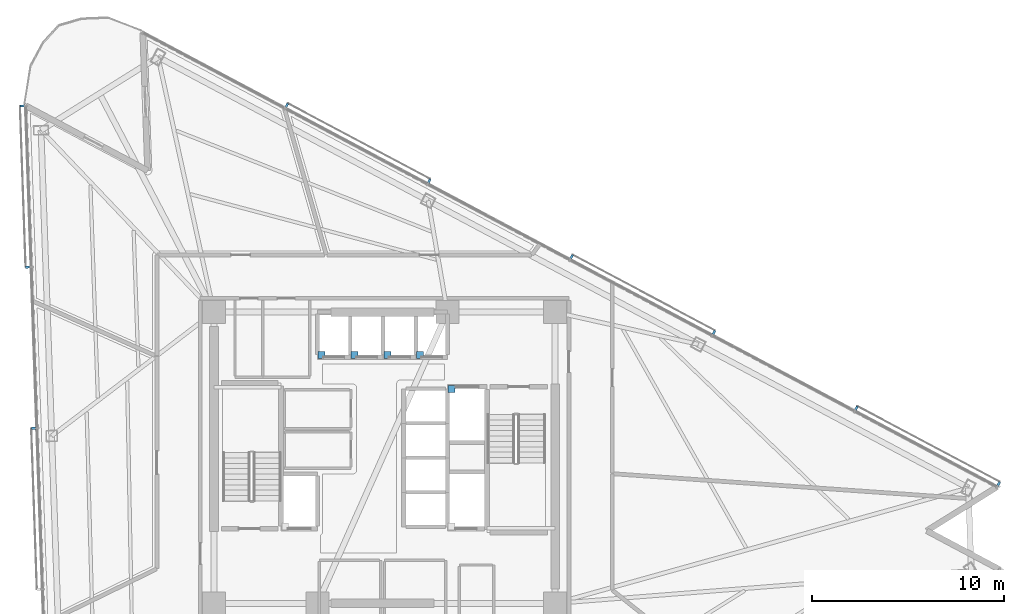
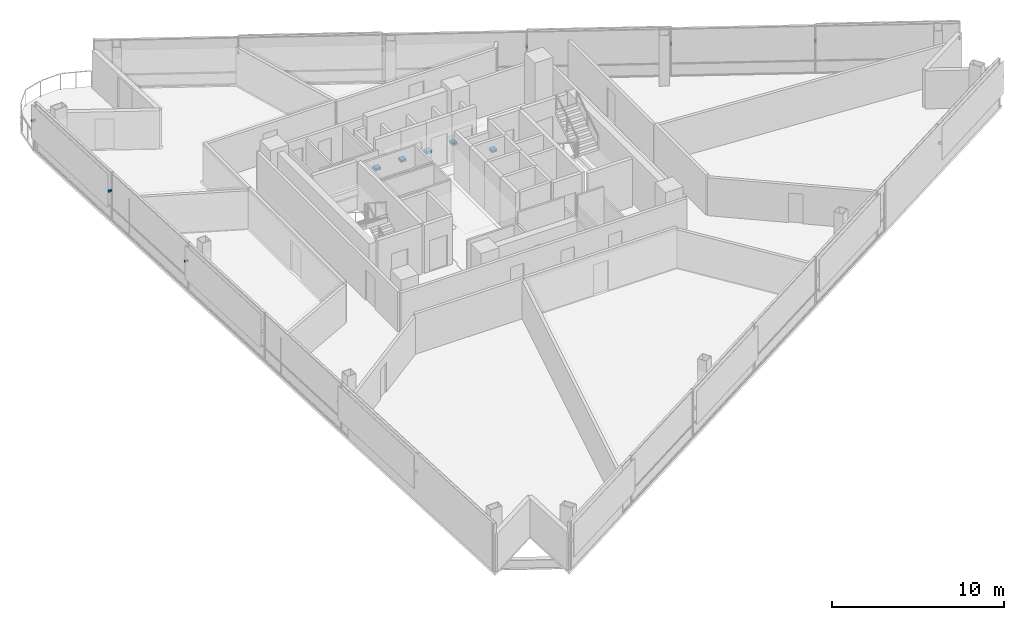
# One storey, part 16 of 21: 14 discrete accessories.
"""IFC4 building model written with IfcOpenShell, lengths in metres."""

from ifc_helpers import new_model, si_unit, direction, frame, origin, origin_2d, place, context, subcontext, project, spatial, rectangle, extrude, material, type_object, element, save


model = new_model("IFC4")

# Units and contexts
model_context = context("Model", 3, precision=1e-05, world=origin(), true_north=direction((0.0, 1.0)))
body_context = subcontext(model_context, "Body", "Model", "MODEL_VIEW")
ifc_project = project(units=[si_unit("LENGTHUNIT", "METRE"), si_unit("AREAUNIT", "SQUARE_METRE"), si_unit("VOLUMEUNIT", "CUBIC_METRE"), si_unit("PLANEANGLEUNIT", "RADIAN"), si_unit("MASSUNIT", "GRAM", prefix="KILO")], contexts=[model_context])

# Site, building, storey
site_placement = place(None, origin())
site = spatial("IfcSite", under=ifc_project, at=site_placement, CompositionType="ELEMENT")
building_placement = place(site_placement, origin())
building = spatial("IfcBuilding", under=site, at=building_placement, Name="Tharavind Bronze Gate", CompositionType="ELEMENT")
storey_placement = place(building_placement, frame((0.0, 0.0, 156.800048828125)))
storey = spatial("IfcBuildingStorey", under=building, at=storey_placement, Name="L40", CompositionType="ELEMENT", Elevation=156.800048828125)

# Discrete accessories
ifc_material_1 = material(Name="Galvanised Steel S355", Category="steel")
discrete_accessory_type_1 = type_object("IfcDiscreteAccessoryType", Name="LIFT GUIDE RAIL BRACKET", PredefinedType="BRACKET", material=ifc_material_1)
for number, where, z_axis, x_axis, name in (
    (1, (-3.280029296875, 5.3701171875, 1.1201171875), (0.0, 0.0, 1.0), (1.0, 0.0, 0.0), "Lift PL5 guide rail bracket at L40"),
    (2, (-1.5673828125, 5.3701171875, 1.1201171875), (0.0, 0.0, 1.0), (1.0, 0.0, 0.0), "Lift PL6 guide rail bracket at L40"),
    (3, (0.14501953125, 5.3701171875, 1.1201171875), (0.0, 0.0, 1.0), (1.0, 0.0, 0.0), "Lift PL7 guide rail bracket at L40"),
    (4, (1.857421875, 5.3701171875, 1.1201171875), (0.0, 0.0, 1.0), (1.0, 0.0, 0.0), "Lift PL8 guide rail bracket at L40"),
    (5, (3.5, 3.580078125, 1.1201171875), (0.0, 0.0, 1.0), (1.0, 0.0, 0.0), "Lift FFL2 guide rail bracket at L40"),
):
    element("IfcDiscreteAccessory", number, at=place(storey_placement, frame(where, z_axis=z_axis, x_axis=x_axis)), inside=storey, type_object=discrete_accessory_type_1, Name=name, PredefinedType="BRACKET", context=body_context, shape_type="SweptSolid", body=[
        extrude(rectangle(XDim=0.360107421875, YDim=0.360107421875, at=origin_2d()), origin(), (0.0, 0.0, 1.0), 0.159912109375),
    ])
ifc_material_2 = material(Name="Stainless Steel 316", Category="steel")
discrete_accessory_type_2 = type_object("IfcDiscreteAccessoryType", Name="SOLAR SCREEN STANDOFF BRACKET", PredefinedType="BRACKET", material=ifc_material_2)
for number, where, z_axis, x_axis, name in (
    (6, (-18.899658203125, 18.358154296875, 2.094970703125), (0.0, 0.0, 1.0), (0.034899496703, -0.999390827019, 0.0), "CW-L40-S1 solar screen bracket 1.1"),
    (7, (-18.60595703125, 9.94873046875, 2.094970703125), (0.0, 0.0, 1.0), (0.034899496703, -0.999390827019, 0.0), "CW-L40-S1 solar screen bracket 1.2"),
    (8, (-18.3125, 1.539306640625, 2.094970703125), (0.0, 0.0, 1.0), (0.034899496703, -0.999390827019, 0.0), "CW-L40-S1 solar screen bracket 3.1"),
    (9, (32.04833984375, -1.363525390625, 2.094970703125), (0.0, 0.0, 1.0), (-0.882947592859, 0.469471562786, 0.0), "CW-L40-S3 solar screen bracket 1.1"),
    (10, (24.61865234375, 2.5869140625, 2.094970703125), (0.0, 0.0, 1.0), (-0.882947592859, 0.469471562786, 0.0), "CW-L40-S3 solar screen bracket 1.2"),
    (11, (17.189208984375, 6.537109375, 2.094970703125), (0.0, 0.0, 1.0), (-0.882947592859, 0.469471562786, 0.0), "CW-L40-S3 solar screen bracket 3.1"),
    (12, (9.759521484375, 10.487548828125, 2.094970703125), (0.0, 0.0, 1.0), (-0.882947592859, 0.469471562786, 0.0), "CW-L40-S3 solar screen bracket 3.2"),
    (13, (2.329833984375, 14.43798828125, 2.094970703125), (0.0, 0.0, 1.0), (-0.882947592859, 0.469471562786, 0.0), "CW-L40-S3 solar screen bracket 5.1"),
    (14, (-5.099853515625, 18.388427734375, 2.094970703125), (0.0, 0.0, 1.0), (-0.882947592859, 0.469471562786, 0.0), "CW-L40-S3 solar screen bracket 5.2"),
):
    element("IfcDiscreteAccessory", number, at=place(storey_placement, frame(where, z_axis=z_axis, x_axis=x_axis)), inside=storey, type_object=discrete_accessory_type_2, Name=name, PredefinedType="BRACKET", context=body_context, shape_type="SweptSolid", body=[
        extrude(rectangle(XDim=0.1201171875, YDim=0.239990234375, at=origin_2d()), origin(), (0.0, 0.0, 1.0), 0.1201171875),
    ])

save(model, "model.ifc")
